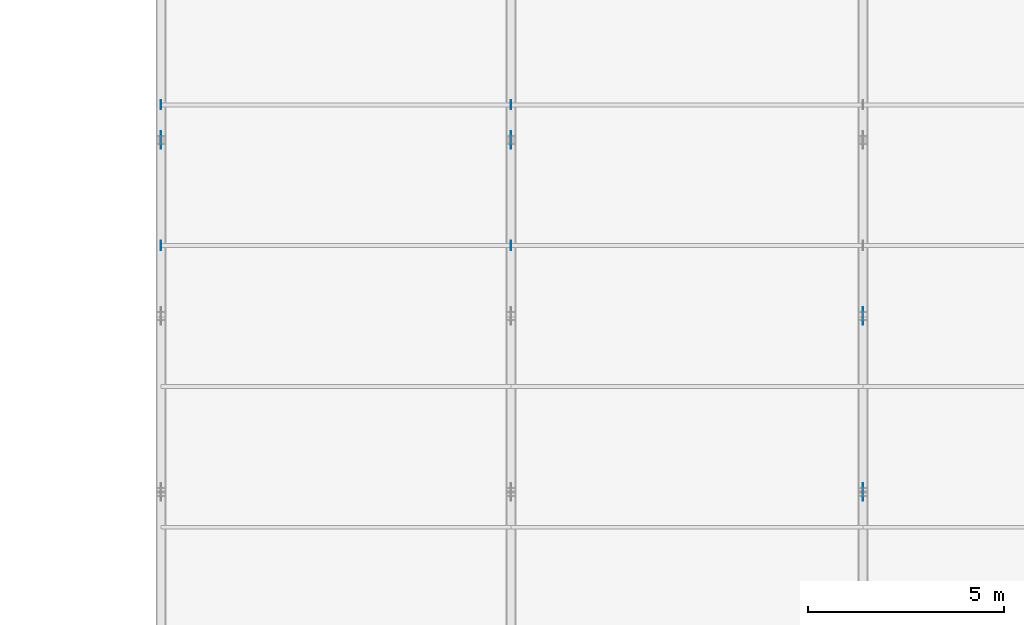
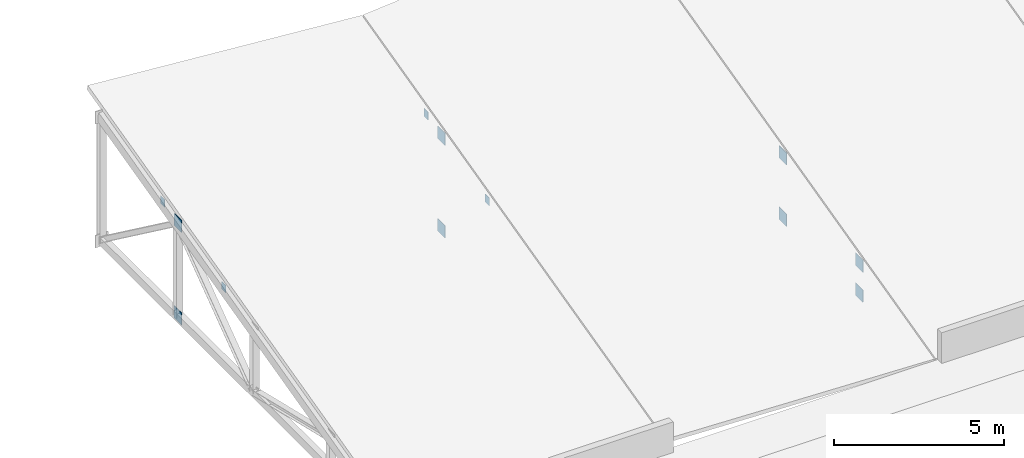
# One storey, part 22 of 36: 12 plates.
"""IFC4 building model written with IfcOpenShell, lengths in metres."""

from ifc_helpers import new_model, si_unit, direction, frame, origin, origin_2d, place, context, subcontext, project, spatial, rectangle, extrude, material, layer, layer_set, type_object, element, save


model = new_model("IFC4")

# Units and contexts
model_context = context("Model", 3, precision=1e-05, world=origin(), true_north=direction((0.0, 1.0)))
body_context = subcontext(model_context, "Body", "Model", "MODEL_VIEW")
ifc_project = project(units=[si_unit("LENGTHUNIT", "METRE"), si_unit("AREAUNIT", "SQUARE_METRE"), si_unit("VOLUMEUNIT", "CUBIC_METRE"), si_unit("PLANEANGLEUNIT", "RADIAN"), si_unit("MASSUNIT", "GRAM", prefix="KILO")], contexts=[model_context])

# Site, building, storey
site_placement = place(None, origin())
site = spatial("IfcSite", under=ifc_project, at=site_placement, CompositionType="ELEMENT")
building_placement = place(site_placement, origin())
building = spatial("IfcBuilding", under=site, at=building_placement, Name="Montelvaro Courts of Justice", CompositionType="ELEMENT")
storey_placement = place(building_placement, frame((0.0, 0.0, 23.39990234375)))
storey = spatial("IfcBuildingStorey", under=building, at=storey_placement, Name="L05", CompositionType="ELEMENT", Elevation=23.39990234375)

# Plates
ifc_material = material(Name="Steel S355", Category="steel")
ifc_layer_1 = layer(ifc_material, 0.011962890625)
ifc_layer_set_1 = layer_set([ifc_layer_1], Name="Steel S355")
plate_type_1 = type_object("IfcPlateType", Name="EndCapPlate_12", PredefinedType="USERDEFINED", material=ifc_layer_set_1)
for number, where, z_axis, x_axis, name in (
    (1, (99.050048828125, 88.800048828125, 2.2099609375), (0.0, 0.0, 1.0), (1.0, 0.0, 0.0), "Purlin End Cap Plate CP-01 01-3M-A"),
    (2, (108.0, 88.800048828125, 2.2099609375), (0.0, 0.0, 1.0), (1.0, 0.0, 0.0), "Purlin End Cap Plate CP-01 01-3M-B"),
    (3, (99.050048828125, 92.39990234375, 3.10986328125), (0.0, 0.0, 1.0), (1.0, 0.0, 0.0), "Purlin End Cap Plate CP-01 01-4M-A"),
    (4, (108.0, 92.39990234375, 3.10986328125), (0.0, 0.0, 1.0), (1.0, 0.0, 0.0), "Purlin End Cap Plate CP-01 01-4M-B"),
):
    element("IfcPlate", number, at=place(storey_placement, frame(where, z_axis=z_axis, x_axis=x_axis)), inside=storey, type_object=plate_type_1, Name=name, ObjectType="GUSSET PLATE", PredefinedType="USERDEFINED", context=body_context, shape_type="SweptSolid", body=[
        extrude(rectangle(XDim=0.011962890625, YDim=0.239990234375, at=origin_2d()), origin(), (0.0, 0.0, 1.0), 0.280029296875),
    ])
ifc_layer_2 = layer(ifc_material, 0.02001953125)
ifc_layer_set_2 = layer_set([ifc_layer_2], Name="Steel S355")
plate_type_2 = type_object("IfcPlateType", Name="GussetPlate_20", PredefinedType="USERDEFINED", material=ifc_layer_set_2)
for number, where, z_axis, x_axis, name in (
    (5, (99.050048828125, 91.5, -0.519775390625), (0.0, 0.0, 1.0), (1.0, 0.0, 0.0), "Roof Truss Gusset Plate GP-01 ROOF-V2-VTR01-3B"),
    (6, (99.050048828125, 91.5, 2.80517578125), (0.0, 0.0, 1.0), (1.0, 0.0, 0.0), "Roof Truss Gusset Plate GP-01 ROOF-V2-VTR01-3T"),
    (7, (108.0, 91.5, -0.519775390625), (0.0, 0.0, 1.0), (1.0, 0.0, 0.0), "Roof Truss Gusset Plate GP-01 ROOF-V2-VTR02-3B"),
    (8, (108.0, 91.5, 2.80517578125), (0.0, 0.0, 1.0), (1.0, 0.0, 0.0), "Roof Truss Gusset Plate GP-01 ROOF-V2-VTR02-3T"),
    (9, (117.0, 82.5, -0.519775390625), (0.0, 0.0, 1.0), (1.0, 0.0, 0.0), "Roof Truss Gusset Plate GP-01 ROOF-V2-VTR03-1B"),
    (10, (117.0, 82.5, 0.55517578125), (0.0, 0.0, 1.0), (1.0, 0.0, 0.0), "Roof Truss Gusset Plate GP-01 ROOF-V2-VTR03-1T"),
    (11, (117.0, 87.0, -0.519775390625), (0.0, 0.0, 1.0), (1.0, 0.0, 0.0), "Roof Truss Gusset Plate GP-01 ROOF-V2-VTR03-2B"),
    (12, (117.0, 87.0, 1.68017578125), (0.0, 0.0, 1.0), (1.0, 0.0, 0.0), "Roof Truss Gusset Plate GP-01 ROOF-V2-VTR03-2T"),
):
    element("IfcPlate", number, at=place(storey_placement, frame(where, z_axis=z_axis, x_axis=x_axis)), inside=storey, type_object=plate_type_2, Name=name, ObjectType="GUSSET PLATE", PredefinedType="USERDEFINED", context=body_context, shape_type="SweptSolid", body=[
        extrude(rectangle(XDim=0.02001953125, YDim=0.43994140625, at=origin_2d()), origin(), (0.0, 0.0, 1.0), 0.43994140625),
    ])

save(model, "model.ifc")
